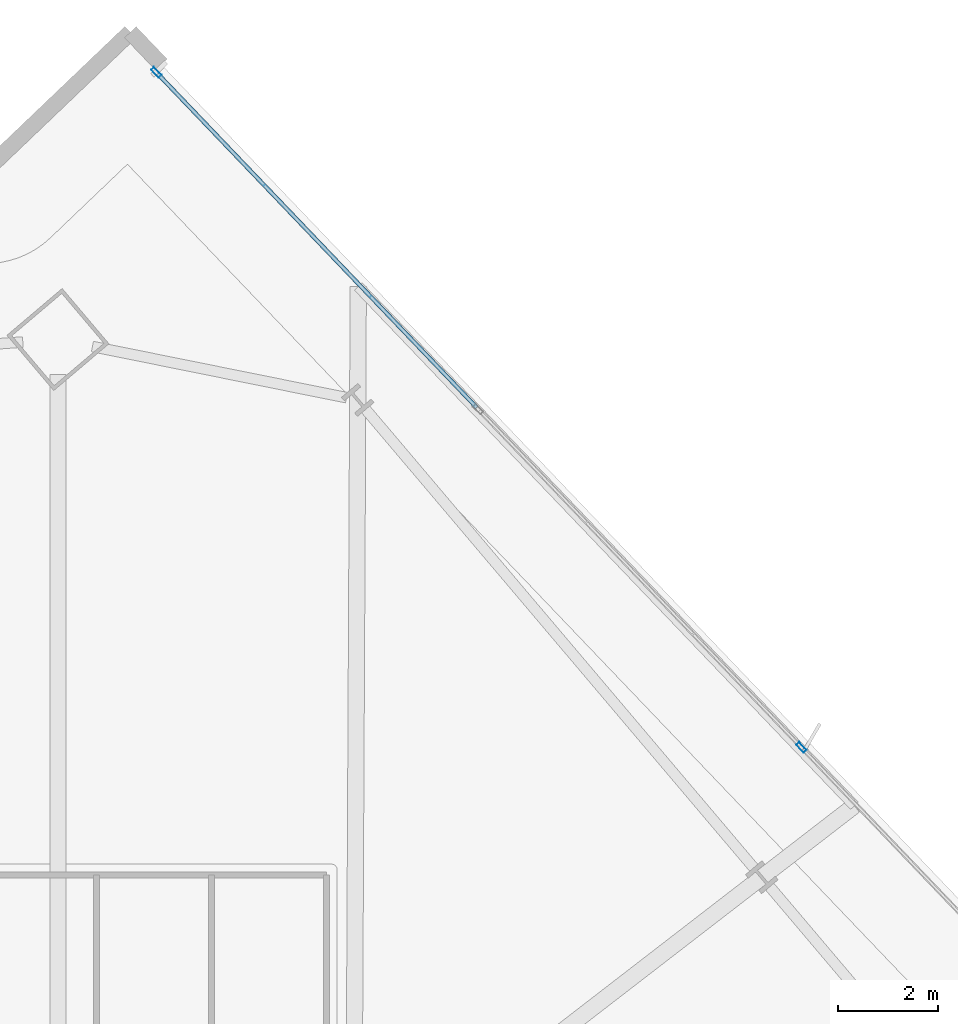
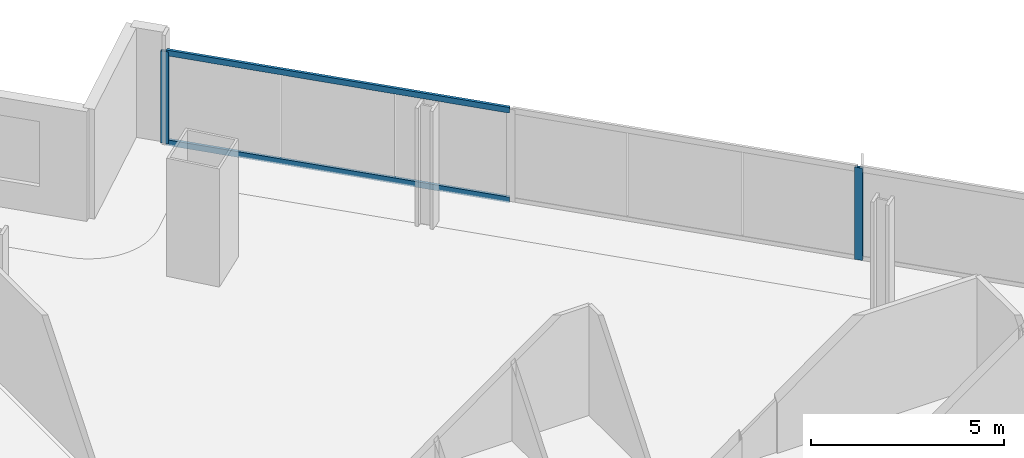
# One storey, part 23 of 33: 4 members, 1 element without a shape of its own.
"""IFC4 building model written with IfcOpenShell, lengths in metres."""

from ifc_helpers import new_model, si_unit, direction, frame, origin, origin_2d, place, context, subcontext, project, spatial, hollow_rectangle, extrude, material, material_profile, profile_set, type_object, element, aggregate, save


model = new_model("IFC4")

# Units and contexts
model_context = context("Model", 3, precision=1e-05, world=origin(), true_north=direction((0.0, 1.0)))
body_context = subcontext(model_context, "Body", "Model", "MODEL_VIEW")
ifc_project = project(units=[si_unit("LENGTHUNIT", "METRE"), si_unit("AREAUNIT", "SQUARE_METRE"), si_unit("VOLUMEUNIT", "CUBIC_METRE"), si_unit("PLANEANGLEUNIT", "RADIAN"), si_unit("MASSUNIT", "GRAM", prefix="KILO")], contexts=[model_context])

# Site, building, storey
site_placement = place(None, origin())
site = spatial("IfcSite", under=ifc_project, at=site_placement, CompositionType="ELEMENT")
building_placement = place(site_placement, origin())
building = spatial("IfcBuilding", under=site, at=building_placement, Name="Haldenkirk Collegiate Tower", CompositionType="ELEMENT")
storey_placement = place(building_placement, frame((0.0, 0.0, 174.449951171875)))
storey = spatial("IfcBuildingStorey", under=building, at=storey_placement, Name="L43", CompositionType="ELEMENT", Elevation=174.449951171875)

# Curtain wall, members
ifc_material = material(Name="Anodised architectural bronze aluminium", Category="aluminium")
curtain_wall_type = type_object("IfcCurtainWallType", Name="CW-SYS1-CONVEX-LOW", PredefinedType="USERDEFINED", material=ifc_material)
curtain_wall_placement = place(storey_placement, origin())
curtain_wall = element("IfcCurtainWall", 1, at=curtain_wall_placement, inside=storey, type_object=curtain_wall_type, Name="L43 Lower tower convex bronze-framed unitised curtain wall", ObjectType="UNITISED CURTAIN WALL", PredefinedType="USERDEFINED")
ifc_material_profile_1 = material_profile(ifc_material, hollow_rectangle(XDim=0.080078125, YDim=0.219970703125, WallThickness=0.0048828125, at=origin_2d()), Name="CW-MUL-1A")
ifc_profile_set_1 = profile_set([ifc_material_profile_1], Name="Anodised architectural bronze aluminium")
member_type_1 = type_object("IfcMemberType", Name="CW-MUL-1A", PredefinedType="MULLION", material=ifc_profile_set_1)
member_1_placement = place(storey_placement, frame((41.04736328125, 56.426025390625, 0.0), z_axis=(0.0, 0.0, 1.0), x_axis=(0.722966195918, 0.690883405185, 0.0)))
member_1 = element("IfcMember", 2, at=member_1_placement, type_object=member_type_1, Name="CW-1A mullion 1", PredefinedType="MULLION", context=body_context, shape_type="SweptSolid", body=[
    extrude(hollow_rectangle(XDim=0.080078125, YDim=0.219970703125, WallThickness=0.0048828125, at=origin_2d()), origin(), (0.0, 0.0, 1.0), 2.9111328125),
])
member_2_placement = place(storey_placement, frame((53.965087890625, 42.908447265625, 0.0), z_axis=(0.0, 0.0, 1.0), x_axis=(0.722966195918, 0.690883405185, 0.0)))
member_2 = element("IfcMember", 3, at=member_2_placement, type_object=member_type_1, Name="CW-1A mullion 3", PredefinedType="MULLION", context=body_context, shape_type="SweptSolid", body=[
    extrude(hollow_rectangle(XDim=0.080078125, YDim=0.219970703125, WallThickness=0.0048828125, at=origin_2d()), origin(), (0.0, 0.0, 1.0), 2.9111328125),
])
ifc_material_profile_2 = material_profile(ifc_material, hollow_rectangle(XDim=0.080078125, YDim=0.179931640625, WallThickness=0.0048828125, at=origin_2d()), Name="CW-TRN-1A")
ifc_profile_set_2 = profile_set([ifc_material_profile_2], Name="Anodised architectural bronze aluminium")
member_type_2 = type_object("IfcMemberType", Name="CW-TRN-1A", PredefinedType="USERDEFINED", material=ifc_profile_set_2)
member_3_placement = place(storey_placement, frame((41.074951171875, 56.397216796875, 0.0400390625), z_axis=(0.690888740034, -0.722961097774, 0.0), x_axis=(0.722961097774, 0.690888740034, 0.0)))
member_3 = element("IfcMember", 4, at=member_3_placement, type_object=member_type_2, Name="CW-1A transom 1.1", ObjectType="TRANSOM", PredefinedType="USERDEFINED", context=body_context, shape_type="SweptSolid", body=[
    extrude(hollow_rectangle(XDim=0.080078125, YDim=0.179931640625, WallThickness=0.0048828125, at=origin_2d()), origin(), (0.0, 0.0, 1.0), 9.248779296875),
])
member_4_placement = place(storey_placement, frame((41.074951171875, 56.397216796875, 2.87109375), z_axis=(0.690888740034, -0.722961097774, 0.0), x_axis=(0.722961097774, 0.690888740034, 0.0)))
member_4 = element("IfcMember", 5, at=member_4_placement, type_object=member_type_2, Name="CW-1A transom 1.2", ObjectType="TRANSOM", PredefinedType="USERDEFINED", context=body_context, shape_type="SweptSolid", body=[
    extrude(hollow_rectangle(XDim=0.080078125, YDim=0.179931640625, WallThickness=0.0048828125, at=origin_2d()), origin(), (0.0, 0.0, 1.0), 9.248779296875),
])
aggregate(curtain_wall, [member_1, member_2, member_3, member_4])

save(model, "model.ifc")
